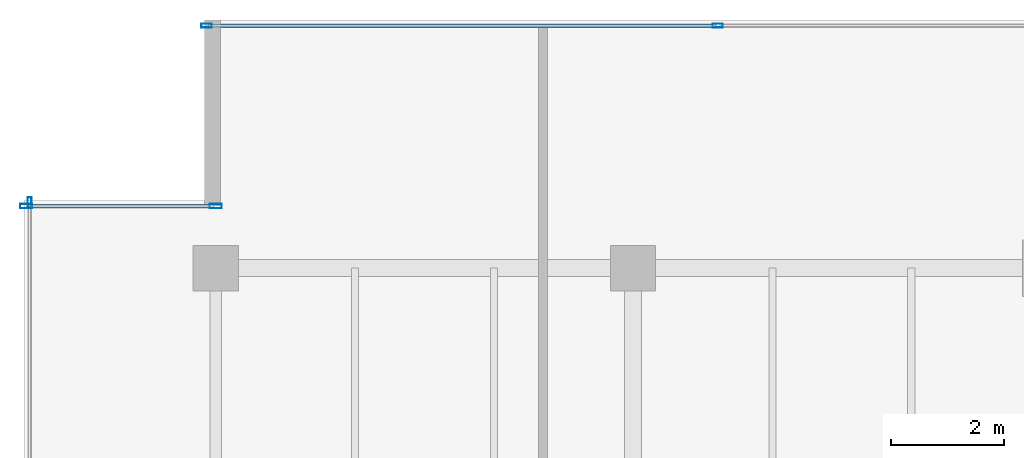
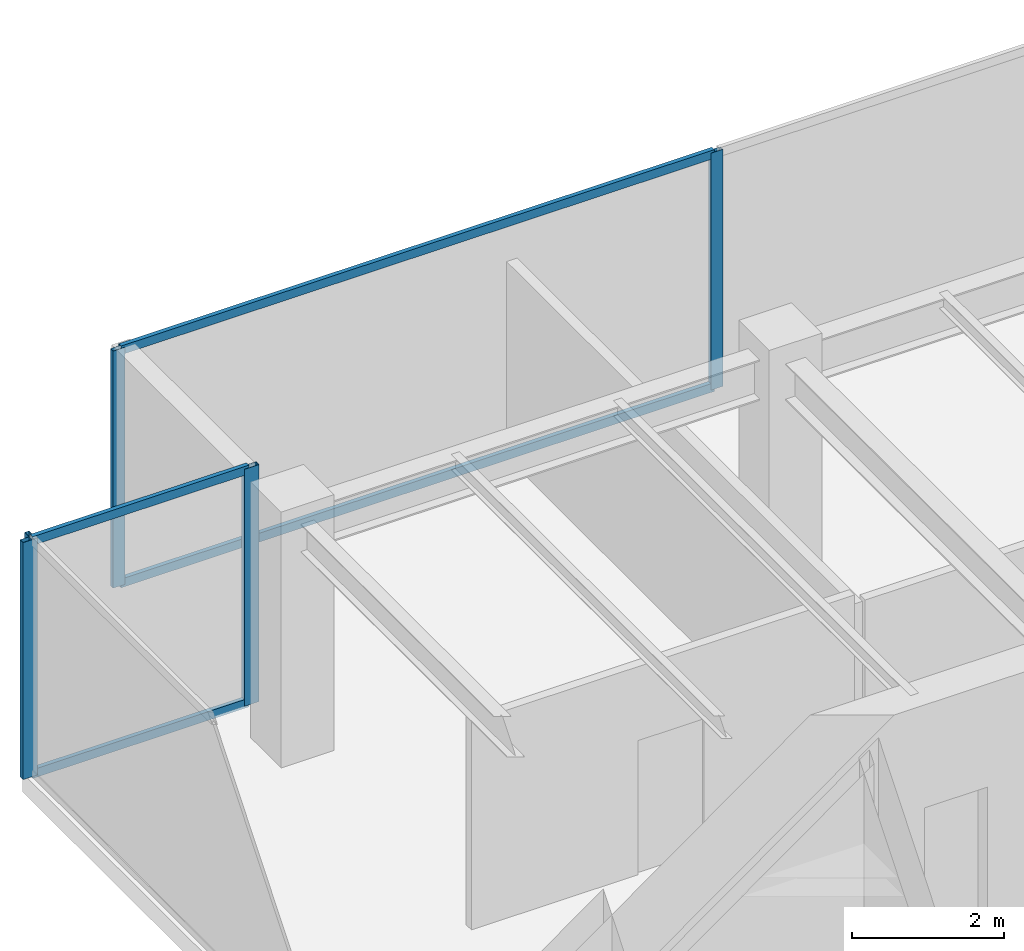
# One storey, part 15 of 33: 9 members, 3 elements without a shape of their own.
"""IFC4 building model written with IfcOpenShell, lengths in metres."""

from ifc_helpers import new_model, si_unit, direction, frame, origin, origin_2d, place, context, subcontext, project, spatial, hollow_rectangle, extrude, source, transform, mapped, material, layer, layer_set, material_profile, profile_set, type_object, type_shapes, element, aggregate, save


model = new_model("IFC4")

# Units and contexts
model_context = context("Model", 3, precision=1e-05, world=origin(), true_north=direction((0.0, 1.0)))
body_context = subcontext(model_context, "Body", "Model", "MODEL_VIEW")
ifc_project = project(units=[si_unit("LENGTHUNIT", "METRE"), si_unit("AREAUNIT", "SQUARE_METRE"), si_unit("VOLUMEUNIT", "CUBIC_METRE"), si_unit("PLANEANGLEUNIT", "RADIAN"), si_unit("MASSUNIT", "GRAM", prefix="KILO")], contexts=[model_context])

# Site, building, storey
site_placement = place(None, origin())
site = spatial("IfcSite", under=ifc_project, at=site_placement, CompositionType="ELEMENT")
building_placement = place(site_placement, origin())
building = spatial("IfcBuilding", under=site, at=building_placement, Name="Haelvirn Gate Laboratories", CompositionType="ELEMENT")
storey_placement = place(building_placement, frame((0.0, 0.0, 258.800048828125)))
storey = spatial("IfcBuildingStorey", under=building, at=storey_placement, Name="L62", CompositionType="ELEMENT", Elevation=258.800048828125)

# Curtain wall, members
ifc_material_1 = material(Name="Anodised bronze unitised aluminium & triple low-E glass", Category="aluminium")
ifc_layer_1 = layer(ifc_material_1, 0.181884765625, Name="CW-SYS-5")
ifc_layer_set_1 = layer_set([ifc_layer_1], Name="Anodised bronze unitised aluminium & triple low-E glass")
curtain_wall_type_1 = type_object("IfcCurtainWallType", Name="CW-SYS-5", PredefinedType="NOTDEFINED", material=ifc_layer_set_1)
curtain_wall_1_placement = place(storey_placement, origin())
curtain_wall_1 = element("IfcCurtainWall", 1, at=curtain_wall_1_placement, inside=storey, type_object=curtain_wall_type_1, Name="L62 Unitised Curtain Wall CW-L62-P0-E16-1", PredefinedType="NOTDEFINED")
ifc_material_2 = material(Name="Extruded aluminium 6063-T6 (anodised bronze)", Category="aluminium")
ifc_material_profile_1 = material_profile(ifc_material_2, hollow_rectangle(XDim=0.06494140625, YDim=0.139892578125, WallThickness=0.00390625, at=origin_2d()), Name="CWT-140x65x4")
ifc_profile_set_1 = profile_set([ifc_material_profile_1], Name="Extruded aluminium 6063-T6 (anodised bronze)")
member_type_1 = type_object("IfcMemberType", Name="CWT-T140", PredefinedType="USERDEFINED", material=ifc_profile_set_1)
shared_shape_1 = source(origin(), body_context, "Body", "SweptSolid", [
    extrude(hollow_rectangle(XDim=0.06494140625, YDim=0.139892578125, WallThickness=0.00390625, at=origin_2d()), origin(), (0.0, 0.0, 1.0), 3.280029296875),
])
member_1_placement = place(storey_placement, frame((4.080078125, 42.699951171875, 0.032470703125), z_axis=(1.0, 0.0, 0.0), x_axis=(0.0, 1.0, 0.0)))
member_1 = element("IfcMember", 2, at=member_1_placement, type_object=member_type_1, Name="CW5 transom 1.1", ObjectType="TRANSOM", PredefinedType="USERDEFINED", context=body_context, shape_type="MappedRepresentation", body=[
    mapped(shared_shape_1, transform((0.0, 0.0, 0.0), scale=1.0)),
])
member_2_placement = place(storey_placement, frame((4.080078125, 42.699951171875, 3.767333984375), z_axis=(1.0, 0.0, 0.0), x_axis=(0.0, 1.0, 0.0)))
member_2 = element("IfcMember", 3, at=member_2_placement, type_object=member_type_1, Name="CW5 transom 1.2", ObjectType="TRANSOM", PredefinedType="USERDEFINED", context=body_context, shape_type="MappedRepresentation", body=[
    mapped(shared_shape_1, transform((0.0, 0.0, 0.0), scale=1.0)),
])

ifc_layer_2 = layer(ifc_material_1, 0.176025390625, Name="CW-SYS-4")
ifc_layer_set_2 = layer_set([ifc_layer_2], Name="Anodised bronze unitised aluminium & triple low-E glass")
curtain_wall_type_2 = type_object("IfcCurtainWallType", Name="CW-SYS-4", PredefinedType="NOTDEFINED", material=ifc_layer_set_2)
curtain_wall_2_placement = place(storey_placement, origin())
curtain_wall_2 = element("IfcCurtainWall", 4, at=curtain_wall_2_placement, inside=storey, type_object=curtain_wall_type_2, Name="L62 Unitised Curtain Wall CW-L62-P0-E14-1", PredefinedType="NOTDEFINED")
ifc_material_profile_2 = material_profile(ifc_material_2, hollow_rectangle(XDim=0.070068359375, YDim=0.179931640625, WallThickness=0.0048828125, at=origin_2d()), Name="CWM-180x70x5")
ifc_profile_set_2 = profile_set([ifc_material_profile_2], Name="Extruded aluminium 6063-T6 (anodised bronze)")
member_type_2 = type_object("IfcMemberType", Name="CWM-T180", PredefinedType="MULLION", material=ifc_profile_set_2)
shared_shape_2 = source(origin(), body_context, "Body", "SweptSolid", [
    extrude(hollow_rectangle(XDim=0.070068359375, YDim=0.179931640625, WallThickness=0.0048828125, at=origin_2d()), origin(), (0.0, 0.0, 1.0), 3.800048828125),
])
type_shapes(member_type_2, [shared_shape_2])
member_3_placement = place(storey_placement, frame((7.235107421875, 45.89990234375, 0.0), z_axis=(0.0, 0.0, 1.0), x_axis=(0.0, 1.0, 0.0)))
member_3 = element("IfcMember", 5, at=member_3_placement, type_object=member_type_2, Name="CW4 mullion 1", PredefinedType="MULLION", context=body_context, shape_type="MappedRepresentation", body=[
    mapped(shared_shape_2, transform((0.0, 0.0, 0.0), scale=1.0)),
])
member_4_placement = place(storey_placement, frame((16.300048828125, 45.89990234375, 0.0), z_axis=(0.0, 0.0, 1.0), x_axis=(0.0, 1.0, 0.0)))
member_4 = element("IfcMember", 6, at=member_4_placement, type_object=member_type_2, Name="CW4 mullion 2", PredefinedType="MULLION", context=body_context, shape_type="MappedRepresentation", body=[
    mapped(shared_shape_2, transform((0.0, 0.0, 0.0), scale=1.0)),
])

# Curtain wall, member
curtain_wall_3_placement = place(storey_placement, origin())
curtain_wall_3 = element("IfcCurtainWall", 7, at=curtain_wall_3_placement, inside=storey, type_object=curtain_wall_type_2, Name="L62 Unitised Curtain Wall CW-L62-P0-E17", PredefinedType="NOTDEFINED")
member_5_placement = place(storey_placement, frame((4.10009765625, 42.764892578125, 0.0), z_axis=(0.0, 0.0, 1.0), x_axis=(1.0, 0.0, 0.0)))
member_5 = element("IfcMember", 8, at=member_5_placement, type_object=member_type_2, Name="CW4 mullion 1", PredefinedType="MULLION", context=body_context, shape_type="MappedRepresentation", body=[
    mapped(shared_shape_2, transform((0.0, 0.0, 0.0), scale=1.0)),
])
aggregate(curtain_wall_3, [member_5])

# Member
shared_shape_3 = source(origin(), body_context, "Body", "SweptSolid", [
    extrude(hollow_rectangle(XDim=0.06494140625, YDim=0.139892578125, WallThickness=0.00390625, at=origin_2d()), origin(), (0.0, 0.0, 1.0), 8.994873046875),
])
type_shapes(member_type_1, [shared_shape_1, shared_shape_3])
member_6_placement = place(storey_placement, frame((7.27001953125, 45.89990234375, 0.032470703125), z_axis=(1.0, 0.0, 0.0), x_axis=(0.0, 1.0, 0.0)))
member_6 = element("IfcMember", 9, at=member_6_placement, type_object=member_type_1, Name="CW4 transom 1.1", ObjectType="TRANSOM", PredefinedType="USERDEFINED", context=body_context, shape_type="MappedRepresentation", body=[
    mapped(shared_shape_3, transform((0.0, 0.0, 0.0), scale=1.0)),
])

member_7_placement = place(storey_placement, frame((7.27001953125, 45.89990234375, 3.767333984375), z_axis=(1.0, 0.0, 0.0), x_axis=(0.0, 1.0, 0.0)))
member_7 = element("IfcMember", 10, at=member_7_placement, type_object=member_type_1, Name="CW4 transom 1.2", ObjectType="TRANSOM", PredefinedType="USERDEFINED", context=body_context, shape_type="MappedRepresentation", body=[
    mapped(shared_shape_3, transform((0.0, 0.0, 0.0), scale=1.0)),
])

aggregate(curtain_wall_2, [member_3, member_4, member_6, member_7])

ifc_material_profile_3 = material_profile(ifc_material_2, hollow_rectangle(XDim=0.080078125, YDim=0.219970703125, WallThickness=0.006103515625, at=origin_2d()), Name="CWM-220x80x6")
ifc_profile_set_3 = profile_set([ifc_material_profile_3], Name="Extruded aluminium 6063-T6 (anodised bronze)")
member_type_3 = type_object("IfcMemberType", Name="CWM-T220", PredefinedType="MULLION", material=ifc_profile_set_3)
shared_shape_4 = source(origin(), body_context, "Body", "SweptSolid", [
    extrude(hollow_rectangle(XDim=0.080078125, YDim=0.219970703125, WallThickness=0.006103515625, at=origin_2d()), origin(), (0.0, 0.0, 1.0), 3.800048828125),
])
type_shapes(member_type_3, [shared_shape_4])
member_8_placement = place(storey_placement, frame((4.0400390625, 42.699951171875, 0.0), z_axis=(0.0, 0.0, 1.0), x_axis=(0.0, 1.0, 0.0)))
member_8 = element("IfcMember", 11, at=member_8_placement, type_object=member_type_3, Name="CW5 mullion 1", PredefinedType="MULLION", context=body_context, shape_type="MappedRepresentation", body=[
    mapped(shared_shape_4, transform((0.0, 0.0, 0.0), scale=1.0)),
])

member_9_placement = place(storey_placement, frame((7.39990234375, 42.699951171875, 0.0), z_axis=(0.0, 0.0, 1.0), x_axis=(0.0, 1.0, 0.0)))
member_9 = element("IfcMember", 12, at=member_9_placement, type_object=member_type_3, Name="CW5 mullion 2", PredefinedType="MULLION", context=body_context, shape_type="MappedRepresentation", body=[
    mapped(shared_shape_4, transform((0.0, 0.0, 0.0), scale=1.0)),
])

aggregate(curtain_wall_1, [member_8, member_9, member_1, member_2])

save(model, "model.ifc")
